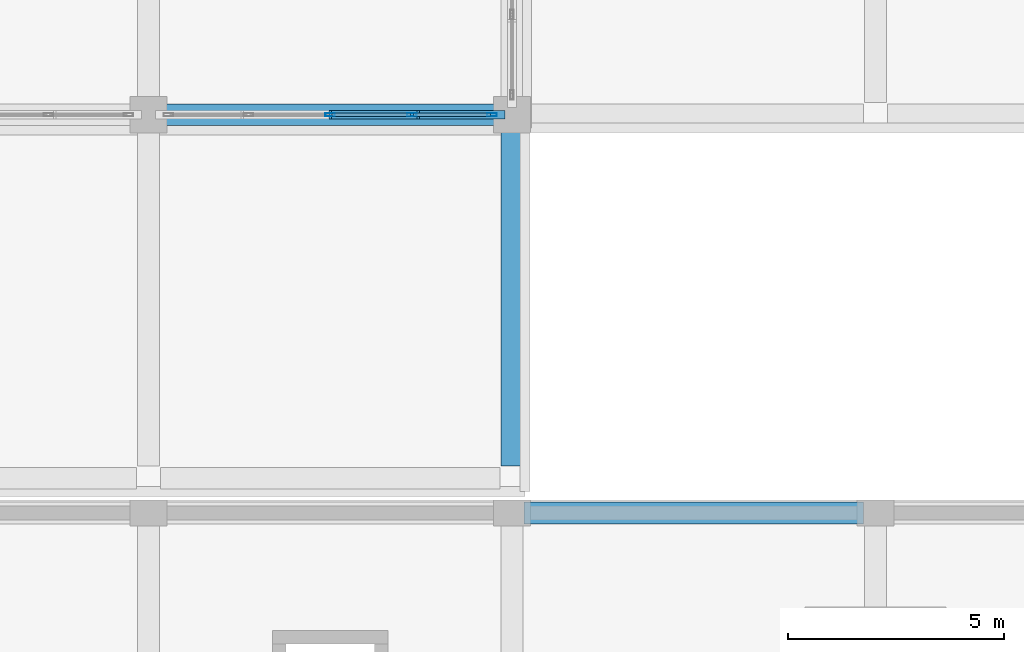
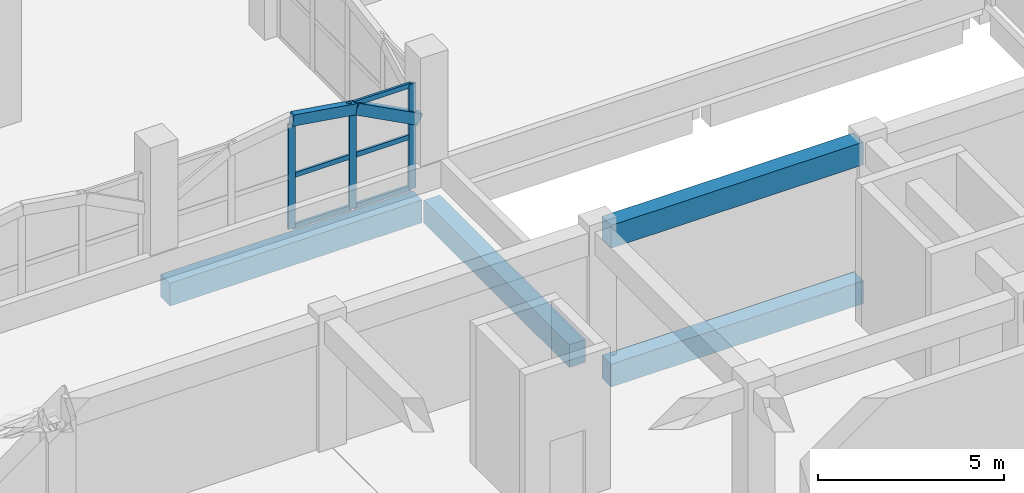
# One storey, part 23 of 129: 11 members, 4 beams, 1 element without a shape of its own.
"""IFC4 building model written with IfcOpenShell, lengths in metres."""

from ifc_helpers import new_model, si_unit, direction, frame, origin, origin_2d, place, context, subcontext, project, spatial, rectangle, hollow_rectangle, extrude, material, layer, layer_set, material_profile, profile_set, type_object, element, aggregate, save


model = new_model("IFC4")

# Units and contexts
model_context = context("Model", 3, precision=1e-05, world=origin(), true_north=direction((0.0, 1.0)))
body_context = subcontext(model_context, "Body", "Model", "MODEL_VIEW")
ifc_project = project(units=[si_unit("LENGTHUNIT", "METRE"), si_unit("AREAUNIT", "SQUARE_METRE"), si_unit("VOLUMEUNIT", "CUBIC_METRE"), si_unit("PLANEANGLEUNIT", "RADIAN"), si_unit("MASSUNIT", "GRAM", prefix="KILO")], contexts=[model_context])

# Site, building, storey
site_placement = place(None, origin())
site = spatial("IfcSite", under=ifc_project, at=site_placement, CompositionType="ELEMENT")
building_placement = place(site_placement, origin())
building = spatial("IfcBuilding", under=site, at=building_placement, Name="Xazarin Passage Department Store", CompositionType="ELEMENT")
storey_placement = place(building_placement, frame((0.0, 0.0, 9.89990234375)))
storey = spatial("IfcBuildingStorey", under=building, at=storey_placement, Name="L02", CompositionType="ELEMENT", Elevation=9.89990234375)

# Curtain wall, members
ifc_material_1 = material(Name="Bronze anodised aluminium", Category="aluminium")
ifc_layer = layer(ifc_material_1, 0.199951171875)
ifc_layer_set = layer_set([ifc_layer], Name="Bronze anodised aluminium")
curtain_wall_type = type_object("IfcCurtainWallType", Name="ARC-CW-VIT2", PredefinedType="NOTDEFINED", material=ifc_layer_set)
curtain_wall_placement = place(storey_placement, origin())
curtain_wall = element("IfcCurtainWall", 1, at=curtain_wall_placement, inside=storey, type_object=curtain_wall_type, Name="L02 V1 Curtain Wall 034", PredefinedType="NOTDEFINED")
ifc_material_profile_1 = material_profile(ifc_material_1, hollow_rectangle(XDim=0.074951171875, YDim=0.219970703125, WallThickness=0.0048828125, at=origin_2d()), Name="ALU 75x220")
ifc_profile_set_1 = profile_set([ifc_material_profile_1], Name="Bronze anodised aluminium")
member_type_1 = type_object("IfcMemberType", Name="ARC-CWM-75x220", PredefinedType="MULLION", material=ifc_profile_set_1)
member_1_placement = place(storey_placement, frame((46.199951171875, 59.60009765625, 0.0), z_axis=(0.0, 0.0, 1.0), x_axis=(0.0, 1.0, 0.0)))
member_1 = element("IfcMember", 2, at=member_1_placement, type_object=member_type_1, Name="CW2 mullion 3", PredefinedType="MULLION", context=body_context, shape_type="SweptSolid", body=[
    extrude(hollow_rectangle(XDim=0.074951171875, YDim=0.219970703125, WallThickness=0.0048828125, at=origin_2d()), origin(), (0.0, 0.0, 1.0), 3.4501953125),
])
member_2_placement = place(storey_placement, frame((48.08740234375, 59.60009765625, 0.0), z_axis=(0.0, 0.0, 1.0), x_axis=(0.0, 1.0, 0.0)))
member_2 = element("IfcMember", 3, at=member_2_placement, type_object=member_type_1, Name="CW2 mullion 4", PredefinedType="MULLION", context=body_context, shape_type="SweptSolid", body=[
    extrude(hollow_rectangle(XDim=0.074951171875, YDim=0.219970703125, WallThickness=0.0048828125, at=origin_2d()), origin(), (0.0, 0.0, 1.0), 3.4501953125),
])
member_3_placement = place(storey_placement, frame((49.9375, 59.60009765625, 0.0), z_axis=(0.0, 0.0, 1.0), x_axis=(0.0, 1.0, 0.0)))
member_3 = element("IfcMember", 4, at=member_3_placement, type_object=member_type_1, Name="CW2 mullion 5", PredefinedType="MULLION", context=body_context, shape_type="SweptSolid", body=[
    extrude(hollow_rectangle(XDim=0.074951171875, YDim=0.219970703125, WallThickness=0.0048828125, at=origin_2d()), origin(), (0.0, 0.0, 1.0), 3.4501953125),
])
ifc_material_profile_2 = material_profile(ifc_material_1, hollow_rectangle(XDim=0.074951171875, YDim=0.159912109375, WallThickness=0.00439453125, at=origin_2d()), Name="ALU 75x160")
ifc_profile_set_2 = profile_set([ifc_material_profile_2], Name="Bronze anodised aluminium")
member_type_2 = type_object("IfcMemberType", Name="ARC-CWT-75x160", PredefinedType="USERDEFINED", material=ifc_profile_set_2)
member_4_placement = place(storey_placement, frame((46.237548828125, 59.60009765625, 0.03759765625), z_axis=(1.0, 0.0, 0.0), x_axis=(0.0, 1.0, 0.0)))
member_4 = element("IfcMember", 5, at=member_4_placement, type_object=member_type_2, Name="CW2 transom 3.1", ObjectType="TRANSOM", PredefinedType="USERDEFINED", context=body_context, shape_type="SweptSolid", body=[
    extrude(hollow_rectangle(XDim=0.074951171875, YDim=0.159912109375, WallThickness=0.00439453125, at=origin_2d()), origin(), (0.0, 0.0, 1.0), 1.8125),
])
member_5_placement = place(storey_placement, frame((46.237548828125, 59.60009765625, 1.72509765625), z_axis=(1.0, 0.0, 0.0), x_axis=(0.0, 1.0, 0.0)))
member_5 = element("IfcMember", 6, at=member_5_placement, type_object=member_type_2, Name="CW2 transom 3.2", ObjectType="TRANSOM", PredefinedType="USERDEFINED", context=body_context, shape_type="SweptSolid", body=[
    extrude(hollow_rectangle(XDim=0.074951171875, YDim=0.159912109375, WallThickness=0.00439453125, at=origin_2d()), origin(), (0.0, 0.0, 1.0), 1.8125),
])
member_6_placement = place(storey_placement, frame((46.237548828125, 59.60009765625, 3.41259765625), z_axis=(1.0, 0.0, 0.0), x_axis=(0.0, 1.0, 0.0)))
member_6 = element("IfcMember", 7, at=member_6_placement, type_object=member_type_2, Name="CW2 transom 3.3", ObjectType="TRANSOM", PredefinedType="USERDEFINED", context=body_context, shape_type="SweptSolid", body=[
    extrude(hollow_rectangle(XDim=0.074951171875, YDim=0.159912109375, WallThickness=0.00439453125, at=origin_2d()), origin(), (0.0, 0.0, 1.0), 1.8125),
])
member_7_placement = place(storey_placement, frame((48.125, 59.60009765625, 0.03759765625), z_axis=(1.0, 0.0, 0.0), x_axis=(0.0, 1.0, 0.0)))
member_7 = element("IfcMember", 8, at=member_7_placement, type_object=member_type_2, Name="CW2 transom 4.1", ObjectType="TRANSOM", PredefinedType="USERDEFINED", context=body_context, shape_type="SweptSolid", body=[
    extrude(hollow_rectangle(XDim=0.074951171875, YDim=0.159912109375, WallThickness=0.00439453125, at=origin_2d()), origin(), (0.0, 0.0, 1.0), 1.77490234375),
])
member_8_placement = place(storey_placement, frame((48.125, 59.60009765625, 1.72509765625), z_axis=(1.0, 0.0, 0.0), x_axis=(0.0, 1.0, 0.0)))
member_8 = element("IfcMember", 9, at=member_8_placement, type_object=member_type_2, Name="CW2 transom 4.2", ObjectType="TRANSOM", PredefinedType="USERDEFINED", context=body_context, shape_type="SweptSolid", body=[
    extrude(hollow_rectangle(XDim=0.074951171875, YDim=0.159912109375, WallThickness=0.00439453125, at=origin_2d()), origin(), (0.0, 0.0, 1.0), 1.77490234375),
])
member_9_placement = place(storey_placement, frame((48.125, 59.60009765625, 3.41259765625), z_axis=(1.0, 0.0, 0.0), x_axis=(0.0, 1.0, 0.0)))
member_9 = element("IfcMember", 10, at=member_9_placement, type_object=member_type_2, Name="CW2 transom 4.3", ObjectType="TRANSOM", PredefinedType="USERDEFINED", context=body_context, shape_type="SweptSolid", body=[
    extrude(hollow_rectangle(XDim=0.074951171875, YDim=0.159912109375, WallThickness=0.00439453125, at=origin_2d()), origin(), (0.0, 0.0, 1.0), 1.77490234375),
])
aggregate(curtain_wall, [member_1, member_2, member_3, member_4, member_5, member_6, member_7, member_8, member_9])

# Beams
ifc_material_2 = material(Name="Concrete C35/45", Category="concrete")
ifc_material_profile_3 = material_profile(ifc_material_2, rectangle(XDim=0.5, YDim=0.75, at=origin_2d()), Name="RC 500x750")
ifc_profile_set_3 = profile_set([ifc_material_profile_3], Name="Concrete C35/45")
beam_type = type_object("IfcBeamType", Name="STR-BM-SP500x750", PredefinedType="SPANDREL", material=ifc_profile_set_3)
for number, where, z_axis, x_axis, name in (
    (11, (42.280029296875, 59.60009765625, -0.6748046875), (1.0, 0.0, 0.0), (0.0, 1.0, 0.0), "L02 Grid Beam J/6-7"),
    (12, (50.39990234375, 51.47998046875, -0.6748046875), (0.0, 1.0, 0.0), (-1.0, 0.0, 0.0), "L02 Grid Beam 7/H-J"),
    (13, (50.679931640625, 50.39990234375, -0.69482421875), (1.0, 0.0, 0.0), (0.0, 1.0, 0.0), "L02 Grid Beam G/7-8"),
    (14, (50.679931640625, 50.39990234375, 3.864990234375), (1.0, 0.0, 0.0), (0.0, 1.0, 0.0), "L02 Grid Beam G/7-8"),
):
    element("IfcBeam", number, at=place(storey_placement, frame(where, z_axis=z_axis, x_axis=x_axis)), inside=storey, type_object=beam_type, Name=name, PredefinedType="SPANDREL", context=body_context, shape_type="SweptSolid", body=[
        extrude(rectangle(XDim=0.5, YDim=0.75, at=origin_2d()), origin(), (0.0, 0.0, 1.0), 7.840087890625),
    ])

# Members
ifc_material_3 = material(Name="Concrete C40/50", Category="concrete")
ifc_material_profile_4 = material_profile(ifc_material_3, rectangle(XDim=0.199951171875, YDim=0.360107421875, at=origin_2d()), Name="RC 200x360")
ifc_profile_set_4 = profile_set([ifc_material_profile_4], Name="Concrete C40/50")
member_type_3 = type_object("IfcMemberType", Name="STR-MEM-ARC360", PredefinedType="CHORD", material=ifc_profile_set_4)
member_10_placement = place(storey_placement, frame((46.199951171875, 59.60009765625, 3.580078125), z_axis=(0.987938581312, 0.0, -0.154846244883), x_axis=(0.0, 1.0, 0.0)))
element("IfcMember", 15, at=member_10_placement, inside=storey, type_object=member_type_3, Name="L02 V1 Upper Setback Pierced Arch 008.3", PredefinedType="CHORD", context=body_context, shape_type="SweptSolid", body=[
    extrude(rectangle(XDim=0.199951171875, YDim=0.360107421875, at=origin_2d()), origin(), (0.0, 0.0, 1.0), 1.999267578125),
])
member_11_placement = place(storey_placement, frame((48.175048828125, 59.60009765625, 3.2705078125), z_axis=(0.884709354127, 0.0, -0.466143066793), x_axis=(0.0, 1.0, 0.0)))
element("IfcMember", 16, at=member_11_placement, inside=storey, type_object=member_type_3, Name="L02 V1 Upper Setback Pierced Arch 008.4", PredefinedType="CHORD", context=body_context, shape_type="SweptSolid", body=[
    extrude(rectangle(XDim=0.199951171875, YDim=0.360107421875, at=origin_2d()), origin(), (0.0, 0.0, 1.0), 2.232177734375),
])

save(model, "model.ifc")
